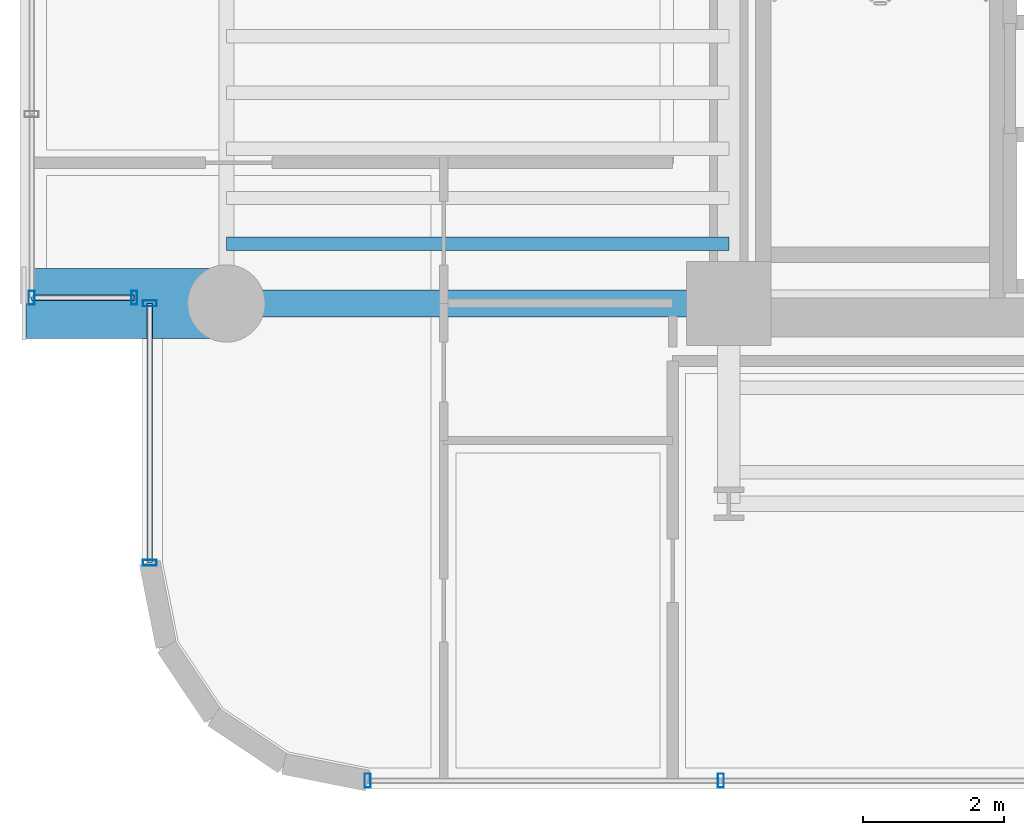
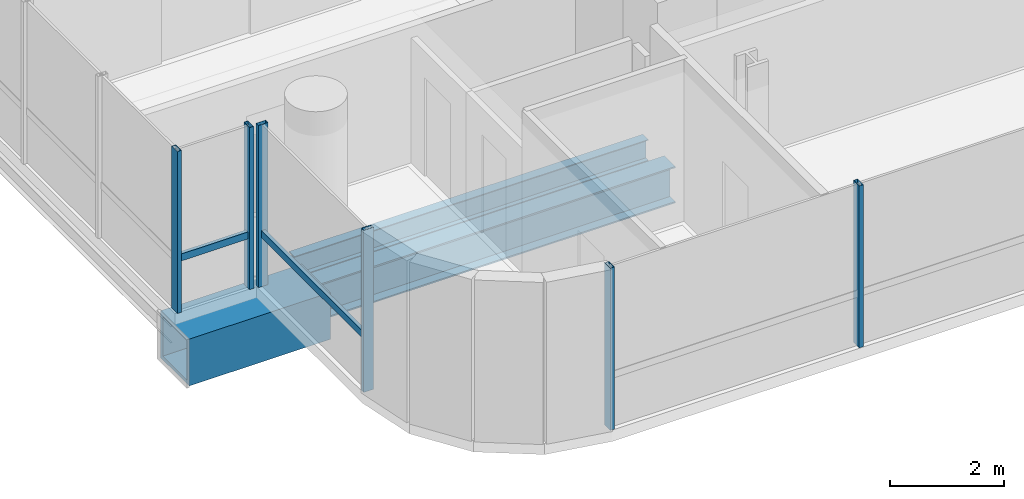
# One storey, part 2 of 34: 8 members, 3 beams, 3 elements without a shape of their own.
"""IFC4 building model written with IfcOpenShell, lengths in metres."""

from ifc_helpers import new_model, si_unit, direction, frame, origin, origin_2d, place, context, subcontext, project, spatial, hollow_rectangle, i_section, extrude, source, transform, mapped, material, material_profile, profile_set, type_object, element, aggregate, save


model = new_model("IFC4")

# Units and contexts
model_context = context("Model", 3, precision=1e-05, world=origin(), true_north=direction((0.0, 1.0)))
body_context = subcontext(model_context, "Body", "Model", "MODEL_VIEW")
ifc_project = project(units=[si_unit("LENGTHUNIT", "METRE"), si_unit("AREAUNIT", "SQUARE_METRE"), si_unit("VOLUMEUNIT", "CUBIC_METRE"), si_unit("PLANEANGLEUNIT", "RADIAN"), si_unit("MASSUNIT", "GRAM", prefix="KILO")], contexts=[model_context])

# Site, building, storey
site_placement = place(None, origin())
site = spatial("IfcSite", under=ifc_project, at=site_placement, CompositionType="ELEMENT")
building_placement = place(site_placement, origin())
building = spatial("IfcBuilding", under=site, at=building_placement, Name="Valdorenza Pilgrim Sanctuary Tower", CompositionType="ELEMENT")
storey_placement = place(building_placement, frame((0.0, 0.0, 164.89990234375)))
storey = spatial("IfcBuildingStorey", under=building, at=storey_placement, Name="L42", CompositionType="ELEMENT", Elevation=164.89990234375)

# Beams
ifc_material_1 = material(Name="Steel ASTM A992 Grade 50", Category="steel")
ifc_material_profile_1 = material_profile(ifc_material_1, i_section(OverallWidth=0.382080078125, OverallDepth=0.779052734375, WebThickness=0.01806640625, FlangeThickness=0.030029296875, at=origin_2d()), Name="W30X191")
ifc_profile_set_1 = profile_set([ifc_material_profile_1], Name="Steel ASTM A992 Grade 50")
beam_type_1 = type_object("IfcBeamType", Name="STR-BM-GRD-W30", PredefinedType="BEAM", material=ifc_profile_set_1)
shared_shape_1 = source(origin(), body_context, "Body", "SweptSolid", [
    extrude(i_section(OverallWidth=0.382080078125, OverallDepth=0.779052734375, WebThickness=0.01806640625, FlangeThickness=0.030029296875, at=origin_2d()), origin(), (0.0, 0.0, 1.0), 7.150146484375),
])
beam_1_placement = place(storey_placement, frame((-29.800048828125, -10.60009765625, -0.62939453125), z_axis=(1.0, 0.0, 0.0), x_axis=(0.0, 1.0, 0.0)))
element("IfcBeam", 1, at=beam_1_placement, inside=storey, type_object=beam_type_1, Name="L42 Floor Girder WA-XW-S1", PredefinedType="BEAM", context=body_context, shape_type="MappedRepresentation", body=[
    mapped(shared_shape_1, transform((0.0, 0.0, 0.0), x_axis=(1.0, 0.0, 0.0), y_axis=(0.0, 1.0, 0.0), z_axis=(0.0, 0.0, 1.0), scale=1.0)),
])
ifc_material_profile_2 = material_profile(ifc_material_1, i_section(OverallWidth=0.19091796875, OverallDepth=0.45703125, WebThickness=0.009033203125, FlangeThickness=0.014404296875, at=origin_2d()), Name="W18X50")
ifc_profile_set_2 = profile_set([ifc_material_profile_2], Name="Steel ASTM A992 Grade 50")
beam_type_2 = type_object("IfcBeamType", Name="STR-BM-JST-W18B", PredefinedType="JOIST", material=ifc_profile_set_2)
shared_shape_2 = source(origin(), body_context, "Body", "SweptSolid", [
    extrude(i_section(OverallWidth=0.19091796875, OverallDepth=0.45703125, WebThickness=0.009033203125, FlangeThickness=0.014404296875, at=origin_2d()), origin(), (0.0, 0.0, 1.0), 7.150146484375),
])
beam_2_placement = place(storey_placement, frame((-29.800048828125, -9.75, -0.468505859375), z_axis=(1.0, 0.0, 0.0), x_axis=(0.0, 1.0, 0.0)))
element("IfcBeam", 2, at=beam_2_placement, inside=storey, type_object=beam_type_2, Name="L42 Composite Floor Joist JST-WA-1", PredefinedType="JOIST", context=body_context, shape_type="MappedRepresentation", body=[
    mapped(shared_shape_2, transform((0.0, 0.0, 0.0), x_axis=(1.0, 0.0, 0.0), y_axis=(0.0, 1.0, 0.0), z_axis=(0.0, 0.0, 1.0), scale=1.0)),
])
ifc_material_2 = material(Name="Steel ASTM A572 Grade 42", Category="steel")
ifc_material_profile_3 = material_profile(ifc_material_2, hollow_rectangle(XDim=1.0, YDim=1.0, WallThickness=0.080078125, at=origin_2d()), Name="BOX 1000x1000x80")
ifc_profile_set_3 = profile_set([ifc_material_profile_3], Name="Steel ASTM A572 Grade 42")
beam_type_3 = type_object("IfcBeamType", Name="STR-BM-PROW-CANT", PredefinedType="BEAM", material=ifc_profile_set_3)
shared_shape_3 = source(origin(), body_context, "Body", "SweptSolid", [
    extrude(hollow_rectangle(XDim=1.0, YDim=1.0, WallThickness=0.080078125, at=origin_2d()), origin(), (0.0, 0.0, 1.0), 2.849853515625),
])
beam_3_placement = place(storey_placement, frame((-29.800048828125, -10.60009765625, -0.739990234375), z_axis=(-1.0, 0.0, 0.0), x_axis=(0.0, -1.0, 0.0)))
element("IfcBeam", 3, at=beam_3_placement, inside=storey, type_object=beam_type_3, Name="L42 Glass Box Cantilever Beam BOX-WA-L42-CT-S", PredefinedType="BEAM", context=body_context, shape_type="MappedRepresentation", body=[
    mapped(shared_shape_3, transform((0.0, 0.0, 0.0), x_axis=(1.0, 0.0, 0.0), y_axis=(0.0, 1.0, 0.0), z_axis=(0.0, 0.0, 1.0), scale=1.0)),
])

# Curtain wall, member
ifc_material_3 = material(Name="Curtain-wall IGU glazing", Category="glass")
curtain_wall_type = type_object("IfcCurtainWallType", Name="CW-SYS-02", PredefinedType="NOTDEFINED", material=ifc_material_3)
curtain_wall_1_placement = place(storey_placement, origin())
curtain_wall_1 = element("IfcCurtainWall", 4, at=curtain_wall_1_placement, inside=storey, type_object=curtain_wall_type, Name="L42 Curtain Wall CW-L42-BOX-WA-L42-S", PredefinedType="NOTDEFINED")
ifc_material_4 = material(Name="Anodised aluminium AW-6060", Category="aluminium")
ifc_material_profile_4 = material_profile(ifc_material_4, hollow_rectangle(XDim=0.074951171875, YDim=0.14990234375, WallThickness=0.00390625, at=origin_2d()), Name="ALU-T 150x75x4")
ifc_profile_set_4 = profile_set([ifc_material_profile_4], Name="Anodised aluminium AW-6060")
member_type_1 = type_object("IfcMemberType", Name="CW-TRN-02", PredefinedType="USERDEFINED", material=ifc_profile_set_4)
shared_shape_4 = source(origin(), body_context, "Body", "SweptSolid", [
    extrude(hollow_rectangle(XDim=0.074951171875, YDim=0.14990234375, WallThickness=0.00390625, at=origin_2d()), origin(), (0.0, 0.0, 1.0), 1.4599609375),
])
member_1_placement = place(storey_placement, frame((-31.110107421875, -10.52001953125, 1.1201171875), z_axis=(-1.0, 0.0, 0.0), x_axis=(0.0, -1.0, 0.0)))
member_1 = element("IfcMember", 5, at=member_1_placement, type_object=member_type_1, Name="CW-L42-BOX-WA-L42-S Transom 1", ObjectType="TRANSOM", PredefinedType="USERDEFINED", context=body_context, shape_type="MappedRepresentation", body=[
    mapped(shared_shape_4, transform((0.0, 0.0, 0.0), x_axis=(1.0, 0.0, 0.0), y_axis=(0.0, 1.0, 0.0), z_axis=(0.0, 0.0, 1.0), scale=1.0)),
])

# Curtain wall, members
curtain_wall_2_placement = place(storey_placement, origin())
curtain_wall_2 = element("IfcCurtainWall", 6, at=curtain_wall_2_placement, inside=storey, type_object=curtain_wall_type, Name="L42 Curtain Wall CW-L42-1-1S1", PredefinedType="NOTDEFINED")
ifc_material_profile_5 = material_profile(ifc_material_4, hollow_rectangle(XDim=0.0849609375, YDim=0.199951171875, WallThickness=0.0048828125, at=origin_2d()), Name="ALU-M 200x85x5")
ifc_profile_set_5 = profile_set([ifc_material_profile_5], Name="Anodised aluminium AW-6060")
member_type_2 = type_object("IfcMemberType", Name="CW-MUL-02", PredefinedType="MULLION", material=ifc_profile_set_5)
shared_shape_5 = source(origin(), body_context, "Body", "SweptSolid", [
    extrude(hollow_rectangle(XDim=0.0849609375, YDim=0.199951171875, WallThickness=0.0048828125, at=origin_2d()), origin(), (0.0, 0.0, 1.0), 3.460205078125),
])
member_2_placement = place(storey_placement, frame((-30.889892578125, -14.289306640625, 0.0), z_axis=(0.0, 0.0, 1.0), x_axis=(0.0, 1.0, 0.0)))
member_2 = element("IfcMember", 7, at=member_2_placement, type_object=member_type_2, Name="CW-L42-1-1S1 Mullion 1", PredefinedType="MULLION", context=body_context, shape_type="MappedRepresentation", body=[
    mapped(shared_shape_5, transform((0.0, 0.0, 0.0), x_axis=(1.0, 0.0, 0.0), y_axis=(0.0, 1.0, 0.0), z_axis=(0.0, 0.0, 1.0), scale=1.0)),
])
member_3_placement = place(storey_placement, frame((-30.889892578125, -10.60009765625, 0.0), z_axis=(0.0, 0.0, 1.0), x_axis=(0.0, 1.0, 0.0)))
member_3 = element("IfcMember", 8, at=member_3_placement, type_object=member_type_2, Name="CW-L42-1-1S1 Mullion 2", PredefinedType="MULLION", context=body_context, shape_type="MappedRepresentation", body=[
    mapped(shared_shape_5, transform((0.0, 0.0, 0.0), x_axis=(1.0, 0.0, 0.0), y_axis=(0.0, 1.0, 0.0), z_axis=(0.0, 0.0, 1.0), scale=1.0)),
])

curtain_wall_3_placement = place(storey_placement, origin())
curtain_wall_3 = element("IfcCurtainWall", 9, at=curtain_wall_3_placement, inside=storey, type_object=curtain_wall_type, Name="L42 Curtain Wall CW-L42-1-26", PredefinedType="NOTDEFINED")
member_4_placement = place(storey_placement, frame((-22.76318359375, -17.389892578125, 0.0), z_axis=(0.0, 0.0, 1.0), x_axis=(-1.0, 0.0, 0.0)))
member_4 = element("IfcMember", 10, at=member_4_placement, type_object=member_type_2, Name="CW-L42-1-26 Mullion 3", PredefinedType="MULLION", context=body_context, shape_type="MappedRepresentation", body=[
    mapped(shared_shape_5, transform((0.0, 0.0, 0.0), x_axis=(1.0, 0.0, 0.0), y_axis=(0.0, 1.0, 0.0), z_axis=(0.0, 0.0, 1.0), scale=1.0)),
])
member_5_placement = place(storey_placement, frame((-27.789306640625, -17.389892578125, 0.0), z_axis=(0.0, 0.0, 1.0), x_axis=(-1.0, 0.0, 0.0)))
member_5 = element("IfcMember", 11, at=member_5_placement, type_object=member_type_2, Name="CW-L42-1-26 Mullion 4", PredefinedType="MULLION", context=body_context, shape_type="MappedRepresentation", body=[
    mapped(shared_shape_5, transform((0.0, 0.0, 0.0), x_axis=(1.0, 0.0, 0.0), y_axis=(0.0, 1.0, 0.0), z_axis=(0.0, 0.0, 1.0), scale=1.0)),
])
aggregate(curtain_wall_3, [member_4, member_5])

# Member
member_6_placement = place(storey_placement, frame((-31.110107421875, -10.52001953125, 0.0), z_axis=(0.0, 0.0, 1.0), x_axis=(-1.0, 0.0, 0.0)))
member_6 = element("IfcMember", 12, at=member_6_placement, type_object=member_type_2, Name="CW-L42-BOX-WA-L42-S Mullion 1", PredefinedType="MULLION", context=body_context, shape_type="MappedRepresentation", body=[
    mapped(shared_shape_5, transform((0.0, 0.0, 0.0), x_axis=(1.0, 0.0, 0.0), y_axis=(0.0, 1.0, 0.0), z_axis=(0.0, 0.0, 1.0), scale=1.0)),
])

member_7_placement = place(storey_placement, frame((-32.570068359375, -10.52001953125, 0.0), z_axis=(0.0, 0.0, 1.0), x_axis=(-1.0, 0.0, 0.0)))
member_7 = element("IfcMember", 13, at=member_7_placement, type_object=member_type_2, Name="CW-L42-BOX-WA-L42-S Mullion 2", PredefinedType="MULLION", context=body_context, shape_type="MappedRepresentation", body=[
    mapped(shared_shape_5, transform((0.0, 0.0, 0.0), x_axis=(1.0, 0.0, 0.0), y_axis=(0.0, 1.0, 0.0), z_axis=(0.0, 0.0, 1.0), scale=1.0)),
])

aggregate(curtain_wall_1, [member_6, member_7, member_1])

shared_shape_6 = source(origin(), body_context, "Body", "SweptSolid", [
    extrude(hollow_rectangle(XDim=0.074951171875, YDim=0.14990234375, WallThickness=0.00390625, at=origin_2d()), origin(), (0.0, 0.0, 1.0), 3.689208984375),
])
member_8_placement = place(storey_placement, frame((-30.889892578125, -14.289306640625, 1.1201171875), z_axis=(0.0, 1.0, 0.0), x_axis=(-1.0, 0.0, 0.0)))
member_8 = element("IfcMember", 14, at=member_8_placement, type_object=member_type_1, Name="CW-L42-1-1S1 Transom 1", ObjectType="TRANSOM", PredefinedType="USERDEFINED", context=body_context, shape_type="MappedRepresentation", body=[
    mapped(shared_shape_6, transform((0.0, 0.0, 0.0), x_axis=(1.0, 0.0, 0.0), y_axis=(0.0, 1.0, 0.0), z_axis=(0.0, 0.0, 1.0), scale=1.0)),
])

aggregate(curtain_wall_2, [member_2, member_3, member_8])

save(model, "model.ifc")
